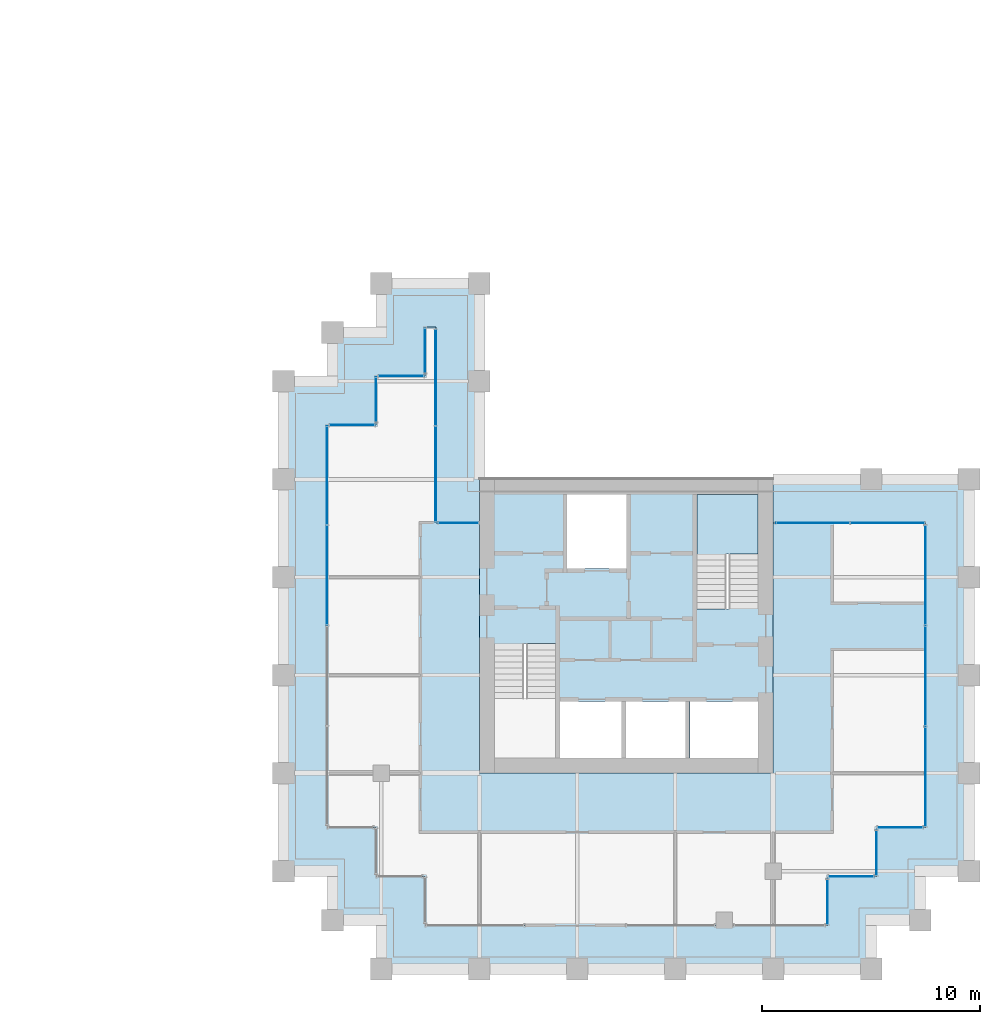
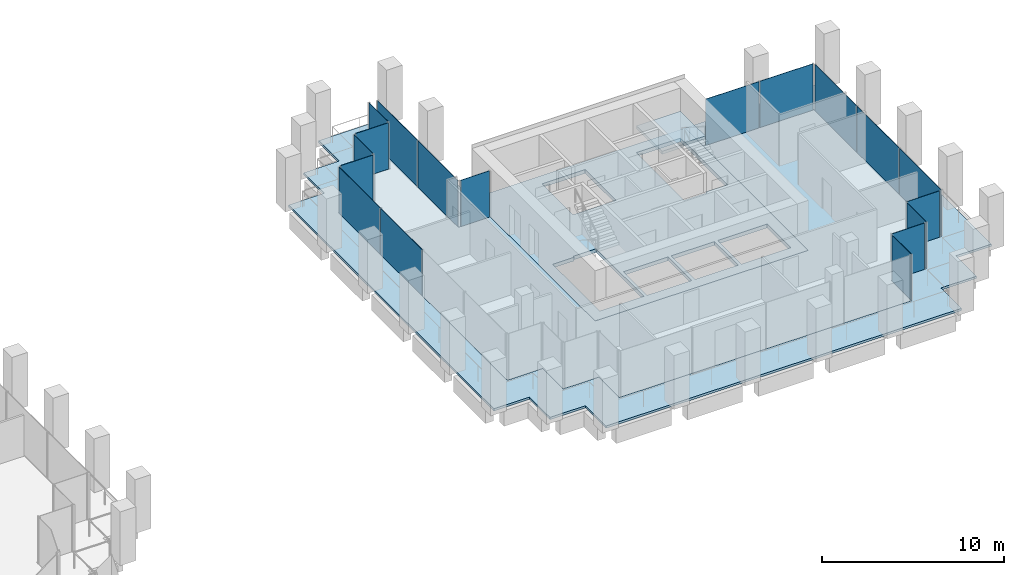
# One storey, part 40 of 47: 18 plates, 4 slabs, 14 elements without a shape of their own.
"""IFC4 building model written with IfcOpenShell, lengths in metres."""

from ifc_helpers import new_model, si_unit, direction, frame, origin, origin_2d, place, context, subcontext, project, spatial, polyline, rectangle, outline, extrude, material, layer, layer_set, type_object, element, aggregate, save


model = new_model("IFC4")

# Units and contexts
model_context = context("Model", 3, precision=1e-05, world=origin(), true_north=direction((0.0, 1.0)))
body_context = subcontext(model_context, "Body", "Model", "MODEL_VIEW")
ifc_project = project(units=[si_unit("LENGTHUNIT", "METRE"), si_unit("AREAUNIT", "SQUARE_METRE"), si_unit("VOLUMEUNIT", "CUBIC_METRE"), si_unit("PLANEANGLEUNIT", "RADIAN"), si_unit("MASSUNIT", "GRAM", prefix="KILO")], contexts=[model_context])

# Site, building, storey
site_placement = place(None, origin())
site = spatial("IfcSite", under=ifc_project, at=site_placement, CompositionType="ELEMENT")
building_placement = place(site_placement, origin())
building = spatial("IfcBuilding", under=site, at=building_placement, Name="Altepetl Exchange Towers", CompositionType="ELEMENT")
storey_placement = place(building_placement, frame((0.0, 0.0, 99.199951171875)))
storey = spatial("IfcBuildingStorey", under=building, at=storey_placement, Name="L24", CompositionType="ELEMENT", Elevation=99.199951171875)

# Slabs
ifc_material_1 = material(Name="Concrete C40/50", Category="concrete")
ifc_layer_1 = layer(ifc_material_1, 0.14990234375)
ifc_layer_set_1 = layer_set([ifc_layer_1], Name="Concrete C40/50")
slab_type_1 = type_object("IfcSlabType", Name="Composite floor slab 150", PredefinedType="FLOOR", material=ifc_layer_set_1)
slab_1_placement = place(storey_placement, frame((0.0, 0.0, -0.14990234375)))
element("IfcSlab", 1, at=slab_1_placement, inside=storey, type_object=slab_type_1, Name="slab:B:L24:strip0", PredefinedType="FLOOR", context=body_context, shape_type="SweptSolid", body=[
    extrude(outline(polyline([(98.75, 54.25), (98.75, 52.0), (96.5, 52.0), (96.5, 33.5), (98.75, 33.5), (98.75, 31.25), (101.0, 31.25), (101.0, 29.0), (119.5, 29.0), (119.5, 31.25), (121.75, 31.25), (121.75, 33.5), (124.0, 33.5), (124.0, 47.5), (117.0, 47.5), (117.0, 36.0), (103.5, 36.0), (103.5, 47.5), (101.5, 47.5), (101.5, 56.5), (101.0, 56.5), (101.0, 54.25), (98.75, 54.25)])), origin(), (0.0, 0.0, 1.0), 0.14990234375),
])
ifc_layer_2 = layer(ifc_material_1, 0.25)
ifc_layer_set_2 = layer_set([ifc_layer_2], Name="Concrete C40/50")
slab_type_2 = type_object("IfcSlabType", Name="Core floor slab 250", PredefinedType="FLOOR", material=ifc_layer_set_2)
slab_2_placement = place(storey_placement, frame((0.0, 0.0, -0.25)))
element("IfcSlab", 2, at=slab_2_placement, inside=storey, type_object=slab_type_2, Name="slab:B:L24:core0", PredefinedType="FLOOR", context=body_context, shape_type="SweptSolid", body=[
    extrude(outline(polyline([(103.5, 36.0), (117.0, 36.0), (117.0, 49.5), (103.5, 49.5), (103.5, 36.0)]), holes=[polyline([(107.199951171875, 36.699951171875), (107.199951171875, 39.300048828125), (110.032958984375, 39.300048828125), (110.032958984375, 36.699951171875), (107.199951171875, 36.699951171875)]), polyline([(110.23291015625, 39.300048828125), (112.967041015625, 39.300048828125), (112.967041015625, 36.699951171875), (110.23291015625, 36.699951171875), (110.23291015625, 39.300048828125)]), polyline([(113.1669921875, 39.300048828125), (116.300048828125, 39.300048828125), (116.300048828125, 36.699951171875), (113.1669921875, 36.699951171875), (113.1669921875, 39.300048828125)]), polyline([(107.0, 36.699951171875), (104.199951171875, 36.699951171875), (104.199951171875, 41.85009765625), (105.550048828125, 41.85009765625), (105.550048828125, 41.948974609375), (107.0, 41.948974609375), (107.0, 36.699951171875)]), polyline([(116.300048828125, 48.800048828125), (116.300048828125, 43.64990234375), (114.949951171875, 43.64990234375), (114.949951171875, 43.551025390625), (113.5, 43.551025390625), (113.5, 48.800048828125), (116.300048828125, 48.800048828125)]), polyline([(107.532958984375, 48.800048828125), (110.26708984375, 48.800048828125), (110.26708984375, 45.39990234375), (107.532958984375, 45.39990234375), (107.532958984375, 48.800048828125)])]), origin(), (0.0, 0.0, 1.0), 0.25),
])

# Curtain wall, plate
ifc_material_2 = material(Name="Aluminium 6063-T6 glazing", Category="aluminium")
curtain_wall_type = type_object("IfcCurtainWallType", Name="Loggia glazing system", PredefinedType="NOTDEFINED", material=ifc_material_2)
curtain_wall_1_placement = place(storey_placement, origin())
curtain_wall_1 = element("IfcCurtainWall", 3, at=curtain_wall_1_placement, inside=storey, type_object=curtain_wall_type, Name="CW1 run", PredefinedType="NOTDEFINED")
ifc_material_3 = material(Name="Glass 6-16-6 low emissivity", Category="glass")
ifc_layer_3 = layer(ifc_material_3, 0.028076171875)
ifc_layer_set_3 = layer_set([ifc_layer_3], Name="Glass 6-16-6 low emissivity")
plate_type = type_object("IfcPlateType", Name="Glass panel 28 double glazed", PredefinedType="CURTAIN_PANEL", material=ifc_layer_set_3)
plate_1_placement = place(storey_placement, frame((97.66259765625, 52.0, 0.0), z_axis=(0.0, 0.0, 1.0), x_axis=(-1.0, 0.0, 0.0)))
plate_1 = element("IfcPlate", 4, at=plate_1_placement, type_object=plate_type, Name="GP1 panel", PredefinedType="CURTAIN_PANEL", context=body_context, shape_type="SweptSolid", body=[
    extrude(rectangle(XDim=2.054931640625, YDim=0.028076171875, at=origin_2d()), origin(), (0.0, 0.0, 1.0), 3.10009765625),
])
aggregate(curtain_wall_1, [plate_1])

# Curtain wall, plates
curtain_wall_2_placement = place(storey_placement, origin())
curtain_wall_2 = element("IfcCurtainWall", 5, at=curtain_wall_2_placement, inside=storey, type_object=curtain_wall_type, Name="CW1 run", PredefinedType="NOTDEFINED")
plate_2_placement = place(storey_placement, frame((96.5, 49.681884765625, 0.0), z_axis=(0.0, 0.0, 1.0), x_axis=(0.0, -1.0, 0.0)))
plate_2 = element("IfcPlate", 6, at=plate_2_placement, type_object=plate_type, Name="GP1 panel", PredefinedType="CURTAIN_PANEL", context=body_context, shape_type="SweptSolid", body=[
    extrude(rectangle(XDim=4.516357421875, YDim=0.028076171875, at=origin_2d()), origin(), (0.0, 0.0, 1.0), 3.10009765625),
])
plate_3_placement = place(storey_placement, frame((96.5, 45.090576171875, 0.0), z_axis=(0.0, 0.0, 1.0), x_axis=(0.0, -1.0, 0.0)))
plate_3 = element("IfcPlate", 7, at=plate_3_placement, type_object=plate_type, Name="GP1 panel", PredefinedType="CURTAIN_PANEL", context=body_context, shape_type="SweptSolid", body=[
    extrude(rectangle(XDim=4.546142578125, YDim=0.028076171875, at=origin_2d()), origin(), (0.0, 0.0, 1.0), 3.10009765625),
])
aggregate(curtain_wall_2, [plate_2, plate_3])

# Curtain wall, plate
curtain_wall_3_placement = place(storey_placement, origin())
curtain_wall_3 = element("IfcCurtainWall", 8, at=curtain_wall_3_placement, inside=storey, type_object=curtain_wall_type, Name="CW1 run", PredefinedType="NOTDEFINED")
plate_4_placement = place(storey_placement, frame((119.5, 30.08740234375, 0.0), z_axis=(0.0, 0.0, 1.0), x_axis=(0.0, 1.0, 0.0)))
plate_4 = element("IfcPlate", 9, at=plate_4_placement, type_object=plate_type, Name="GP1 panel", PredefinedType="CURTAIN_PANEL", context=body_context, shape_type="SweptSolid", body=[
    extrude(rectangle(XDim=2.054931640625, YDim=0.028076171875, at=origin_2d()), origin(), (0.0, 0.0, 1.0), 3.10009765625),
])
aggregate(curtain_wall_3, [plate_4])

curtain_wall_4_placement = place(storey_placement, origin())
curtain_wall_4 = element("IfcCurtainWall", 10, at=curtain_wall_4_placement, inside=storey, type_object=curtain_wall_type, Name="CW1 run", PredefinedType="NOTDEFINED")
plate_5_placement = place(storey_placement, frame((120.58740234375, 31.25, 0.0)))
plate_5 = element("IfcPlate", 11, at=plate_5_placement, type_object=plate_type, Name="GP1 panel", PredefinedType="CURTAIN_PANEL", context=body_context, shape_type="SweptSolid", body=[
    extrude(rectangle(XDim=2.054931640625, YDim=0.028076171875, at=origin_2d()), origin(), (0.0, 0.0, 1.0), 3.10009765625),
])
aggregate(curtain_wall_4, [plate_5])

curtain_wall_5_placement = place(storey_placement, origin())
curtain_wall_5 = element("IfcCurtainWall", 12, at=curtain_wall_5_placement, inside=storey, type_object=curtain_wall_type, Name="CW1 run", PredefinedType="NOTDEFINED")
plate_6_placement = place(storey_placement, frame((121.75, 32.33740234375, 0.0), z_axis=(0.0, 0.0, 1.0), x_axis=(0.0, 1.0, 0.0)))
plate_6 = element("IfcPlate", 13, at=plate_6_placement, type_object=plate_type, Name="GP1 panel", PredefinedType="CURTAIN_PANEL", context=body_context, shape_type="SweptSolid", body=[
    extrude(rectangle(XDim=2.054931640625, YDim=0.028076171875, at=origin_2d()), origin(), (0.0, 0.0, 1.0), 3.10009765625),
])
aggregate(curtain_wall_5, [plate_6])

curtain_wall_6_placement = place(storey_placement, origin())
curtain_wall_6 = element("IfcCurtainWall", 14, at=curtain_wall_6_placement, inside=storey, type_object=curtain_wall_type, Name="CW1 run", PredefinedType="NOTDEFINED")
plate_7_placement = place(storey_placement, frame((122.83740234375, 33.5, 0.0)))
plate_7 = element("IfcPlate", 15, at=plate_7_placement, type_object=plate_type, Name="GP1 panel", PredefinedType="CURTAIN_PANEL", context=body_context, shape_type="SweptSolid", body=[
    extrude(rectangle(XDim=2.054931640625, YDim=0.028076171875, at=origin_2d()), origin(), (0.0, 0.0, 1.0), 3.10009765625),
])
aggregate(curtain_wall_6, [plate_7])

# Curtain wall, plates
curtain_wall_7_placement = place(storey_placement, origin())
curtain_wall_7 = element("IfcCurtainWall", 16, at=curtain_wall_7_placement, inside=storey, type_object=curtain_wall_type, Name="CW1 run", PredefinedType="NOTDEFINED")
plate_8_placement = place(storey_placement, frame((124.0, 35.8359375, 0.0), z_axis=(0.0, 0.0, 1.0), x_axis=(0.0, 1.0, 0.0)))
plate_8 = element("IfcPlate", 17, at=plate_8_placement, type_object=plate_type, Name="GP1 panel", PredefinedType="CURTAIN_PANEL", context=body_context, shape_type="SweptSolid", body=[
    extrude(rectangle(XDim=4.5517578125, YDim=0.028076171875, at=origin_2d()), origin(), (0.0, 0.0, 1.0), 3.10009765625),
])
plate_9_placement = place(storey_placement, frame((124.0, 40.46240234375, 0.0), z_axis=(0.0, 0.0, 1.0), x_axis=(0.0, 1.0, 0.0)))
plate_9 = element("IfcPlate", 18, at=plate_9_placement, type_object=plate_type, Name="GP1 panel", PredefinedType="CURTAIN_PANEL", context=body_context, shape_type="SweptSolid", body=[
    extrude(rectangle(XDim=4.581787109375, YDim=0.028076171875, at=origin_2d()), origin(), (0.0, 0.0, 1.0), 3.10009765625),
])
plate_10_placement = place(storey_placement, frame((124.0, 45.089111328125, 0.0), z_axis=(0.0, 0.0, 1.0), x_axis=(0.0, 1.0, 0.0)))
plate_10 = element("IfcPlate", 19, at=plate_10_placement, type_object=plate_type, Name="GP1 panel", PredefinedType="CURTAIN_PANEL", context=body_context, shape_type="SweptSolid", body=[
    extrude(rectangle(XDim=4.5517578125, YDim=0.028076171875, at=origin_2d()), origin(), (0.0, 0.0, 1.0), 3.10009765625),
])
aggregate(curtain_wall_7, [plate_8, plate_9, plate_10])

curtain_wall_8_placement = place(storey_placement, origin())
curtain_wall_8 = element("IfcCurtainWall", 20, at=curtain_wall_8_placement, inside=storey, type_object=curtain_wall_type, Name="CW1 run", PredefinedType="NOTDEFINED")
plate_11_placement = place(storey_placement, frame((122.253662109375, 47.5, 0.0), z_axis=(0.0, 0.0, 1.0), x_axis=(-1.0, 0.0, 0.0)))
plate_11 = element("IfcPlate", 21, at=plate_11_placement, type_object=plate_type, Name="GP1 panel", PredefinedType="CURTAIN_PANEL", context=body_context, shape_type="SweptSolid", body=[
    extrude(rectangle(XDim=3.37255859375, YDim=0.028076171875, at=origin_2d()), origin(), (0.0, 0.0, 1.0), 3.10009765625),
])
plate_12_placement = place(storey_placement, frame((118.8212890625, 47.5, 0.0), z_axis=(0.0, 0.0, 1.0), x_axis=(-1.0, 0.0, 0.0)))
plate_12 = element("IfcPlate", 22, at=plate_12_placement, type_object=plate_type, Name="GP1 panel", PredefinedType="CURTAIN_PANEL", context=body_context, shape_type="SweptSolid", body=[
    extrude(rectangle(XDim=3.37255859375, YDim=0.028076171875, at=origin_2d()), origin(), (0.0, 0.0, 1.0), 3.10009765625),
])
aggregate(curtain_wall_8, [plate_11, plate_12])

# Curtain wall, plate
curtain_wall_9_placement = place(storey_placement, origin())
curtain_wall_9 = element("IfcCurtainWall", 23, at=curtain_wall_9_placement, inside=storey, type_object=curtain_wall_type, Name="CW1 run", PredefinedType="NOTDEFINED")
plate_13_placement = place(storey_placement, frame((102.53759765625, 47.5, 0.0), z_axis=(0.0, 0.0, 1.0), x_axis=(-1.0, 0.0, 0.0)))
plate_13 = element("IfcPlate", 24, at=plate_13_placement, type_object=plate_type, Name="GP1 panel", PredefinedType="CURTAIN_PANEL", context=body_context, shape_type="SweptSolid", body=[
    extrude(rectangle(XDim=1.804931640625, YDim=0.028076171875, at=origin_2d()), origin(), (0.0, 0.0, 1.0), 3.10009765625),
])
aggregate(curtain_wall_9, [plate_13])

# Curtain wall, plates
curtain_wall_10_placement = place(storey_placement, origin())
curtain_wall_10 = element("IfcCurtainWall", 25, at=curtain_wall_10_placement, inside=storey, type_object=curtain_wall_type, Name="CW1 run", PredefinedType="NOTDEFINED")
plate_14_placement = place(storey_placement, frame((101.5, 49.746337890625, 0.0), z_axis=(0.0, 0.0, 1.0), x_axis=(0.0, 1.0, 0.0)))
plate_14 = element("IfcPlate", 26, at=plate_14_placement, type_object=plate_type, Name="GP1 panel", PredefinedType="CURTAIN_PANEL", context=body_context, shape_type="SweptSolid", body=[
    extrude(rectangle(XDim=4.37255859375, YDim=0.028076171875, at=origin_2d()), origin(), (0.0, 0.0, 1.0), 3.10009765625),
])
plate_15_placement = place(storey_placement, frame((101.5, 54.1787109375, 0.0), z_axis=(0.0, 0.0, 1.0), x_axis=(0.0, 1.0, 0.0)))
plate_15 = element("IfcPlate", 27, at=plate_15_placement, type_object=plate_type, Name="GP1 panel", PredefinedType="CURTAIN_PANEL", context=body_context, shape_type="SweptSolid", body=[
    extrude(rectangle(XDim=4.37255859375, YDim=0.028076171875, at=origin_2d()), origin(), (0.0, 0.0, 1.0), 3.10009765625),
])
aggregate(curtain_wall_10, [plate_14, plate_15])

# Curtain wall, plate
curtain_wall_11_placement = place(storey_placement, origin())
curtain_wall_11 = element("IfcCurtainWall", 28, at=curtain_wall_11_placement, inside=storey, type_object=curtain_wall_type, Name="CW1 run", PredefinedType="NOTDEFINED")
plate_16_placement = place(storey_placement, frame((101.0, 55.41259765625, 0.0), z_axis=(0.0, 0.0, 1.0), x_axis=(0.0, -1.0, 0.0)))
plate_16 = element("IfcPlate", 29, at=plate_16_placement, type_object=plate_type, Name="GP1 panel", PredefinedType="CURTAIN_PANEL", context=body_context, shape_type="SweptSolid", body=[
    extrude(rectangle(XDim=2.054931640625, YDim=0.028076171875, at=origin_2d()), origin(), (0.0, 0.0, 1.0), 3.10009765625),
])
aggregate(curtain_wall_11, [plate_16])

curtain_wall_12_placement = place(storey_placement, origin())
curtain_wall_12 = element("IfcCurtainWall", 30, at=curtain_wall_12_placement, inside=storey, type_object=curtain_wall_type, Name="CW1 run", PredefinedType="NOTDEFINED")
plate_17_placement = place(storey_placement, frame((99.91259765625, 54.25, 0.0), z_axis=(0.0, 0.0, 1.0), x_axis=(-1.0, 0.0, 0.0)))
plate_17 = element("IfcPlate", 31, at=plate_17_placement, type_object=plate_type, Name="GP1 panel", PredefinedType="CURTAIN_PANEL", context=body_context, shape_type="SweptSolid", body=[
    extrude(rectangle(XDim=2.054931640625, YDim=0.028076171875, at=origin_2d()), origin(), (0.0, 0.0, 1.0), 3.10009765625),
])
aggregate(curtain_wall_12, [plate_17])

curtain_wall_13_placement = place(storey_placement, origin())
curtain_wall_13 = element("IfcCurtainWall", 32, at=curtain_wall_13_placement, inside=storey, type_object=curtain_wall_type, Name="CW1 run", PredefinedType="NOTDEFINED")
plate_18_placement = place(storey_placement, frame((98.75, 53.16259765625, 0.0), z_axis=(0.0, 0.0, 1.0), x_axis=(0.0, -1.0, 0.0)))
plate_18 = element("IfcPlate", 33, at=plate_18_placement, type_object=plate_type, Name="GP1 panel", PredefinedType="CURTAIN_PANEL", context=body_context, shape_type="SweptSolid", body=[
    extrude(rectangle(XDim=2.054931640625, YDim=0.028076171875, at=origin_2d()), origin(), (0.0, 0.0, 1.0), 3.10009765625),
])
aggregate(curtain_wall_13, [plate_18])

# Slab
ifc_layer_4 = layer(ifc_material_1, 0.14990234375)
ifc_layer_set_4 = layer_set([ifc_layer_4], Name="Concrete C40/50")
slab_type_3 = type_object("IfcSlabType", Name="Loggia slab 150", PredefinedType="FLOOR", material=ifc_layer_set_4)
slab_3_placement = place(storey_placement, frame((0.0, 0.0, -0.14990234375)))
element("IfcSlab", 34, at=slab_3_placement, inside=storey, type_object=slab_type_3, Name="slab:B:L24:loggia0", PredefinedType="FLOOR", context=body_context, shape_type="SweptSolid", body=[
    extrude(outline(polyline([(96.75, 54.0), (94.5, 54.0), (94.5, 36.0), (94.5, 31.5), (96.75, 31.5), (96.75, 29.25), (99.0, 29.25), (99.0, 27.0), (117.0, 27.0), (121.5, 27.0), (121.5, 29.25), (123.75, 29.25), (123.75, 31.5), (126.0, 31.5), (126.0, 49.5), (117.0, 49.5), (117.0, 47.5), (124.0, 47.5), (124.0, 33.5), (121.75, 33.5), (121.75, 31.25), (119.5, 31.25), (119.5, 29.0), (101.0, 29.0), (101.0, 31.25), (98.75, 31.25), (98.75, 33.5), (96.5, 33.5), (96.5, 52.0), (98.75, 52.0), (98.75, 54.25), (101.0, 54.25), (101.0, 56.5), (101.5, 56.5), (101.5, 47.5), (103.5, 47.5), (103.5, 49.5), (103.5, 58.5), (99.0, 58.5), (99.0, 56.25), (96.75, 56.25), (96.75, 54.0)])), origin(), (0.0, 0.0, 1.0), 0.14990234375),
])

# Stair, slab
stair_type = type_object("IfcStairType", Name="Exit stair 1350 flights dogleg", PredefinedType="HALF_TURN_STAIR", material=ifc_material_1)
stair_placement = place(storey_placement, origin())
stair = element("IfcStair", 35, at=stair_placement, inside=storey, type_object=stair_type, Name="Exit stair 2", PredefinedType="HALF_TURN_STAIR")
ifc_layer_5 = layer(ifc_material_1, 0.199951171875)
ifc_layer_set_5 = layer_set([ifc_layer_5], Name="Concrete C40/50")
slab_type_4 = type_object("IfcSlabType", Name="Stair landing 200 reinforced concrete", PredefinedType="LANDING", material=ifc_layer_set_5)
slab_4_placement = place(storey_placement, frame((0.0, 0.0, 1.60009765625)))
slab_4 = element("IfcSlab", 36, at=slab_4_placement, type_object=slab_type_4, Name="ST-B2d landing 1", PredefinedType="LANDING", context=body_context, shape_type="SweptSolid", body=[
    extrude(outline(polyline([(114.85009765625, 45.969970703125), (113.5, 45.969970703125), (113.5, 46.070068359375), (113.5, 48.800048828125), (116.300048828125, 48.800048828125), (116.300048828125, 46.070068359375), (116.300048828125, 46.0693359375), (114.949951171875, 46.0693359375), (114.949951171875, 46.070068359375), (114.85009765625, 46.070068359375), (114.85009765625, 45.969970703125)])), origin(), (0.0, 0.0, 1.0), 0.199951171875),
])
aggregate(stair, [slab_4])

save(model, "model.ifc")
